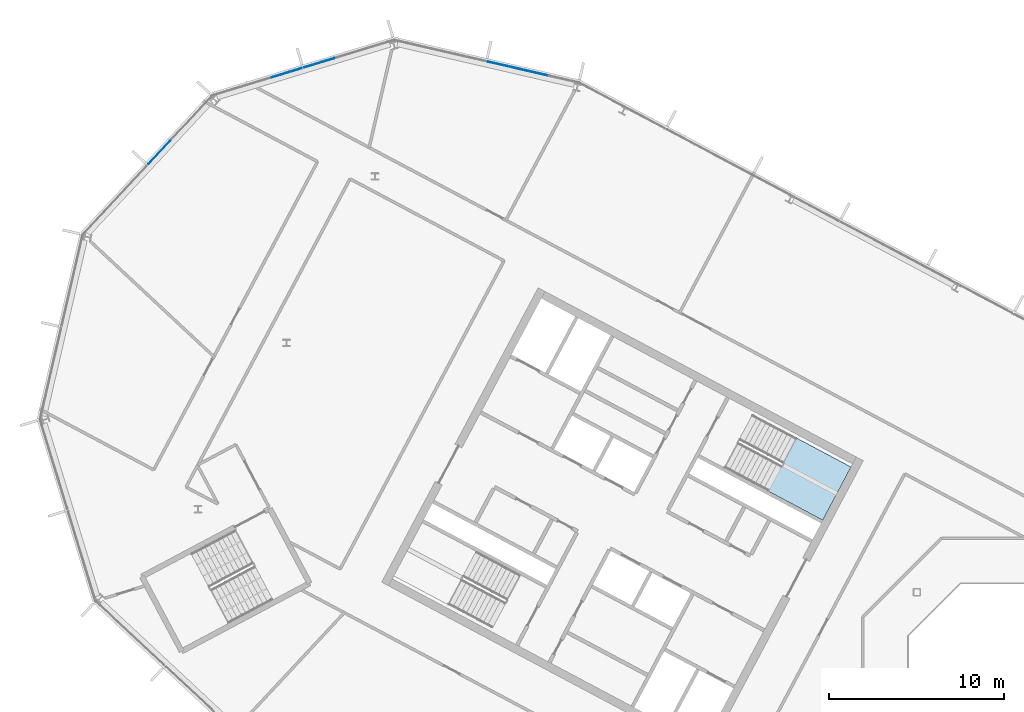
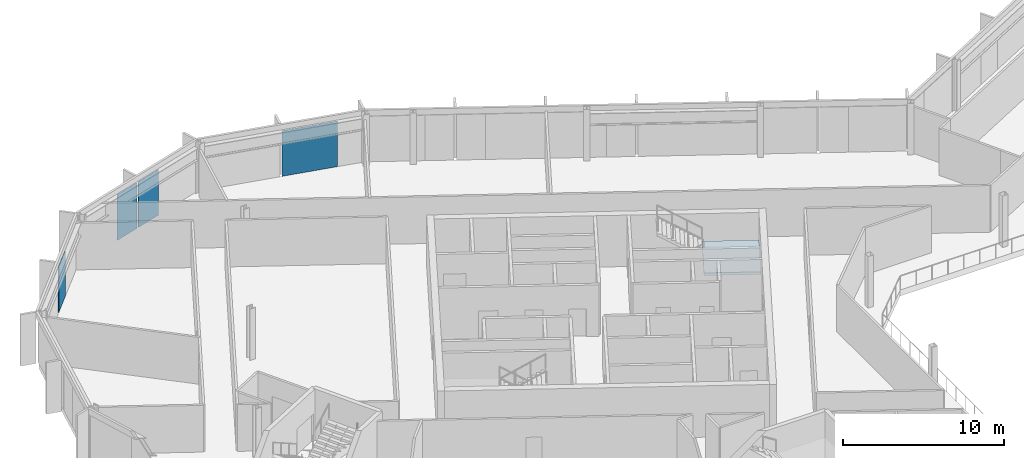
# One storey, part 11 of 26: 4 plates, 1 slab, 4 elements without a shape of their own.
"""IFC4 building model written with IfcOpenShell, lengths in metres."""

from ifc_helpers import new_model, si_unit, direction, frame, origin, origin_2d, place, context, subcontext, project, spatial, polyline, rectangle, outline, extrude, material, layer, layer_set, type_object, element, aggregate, save


model = new_model("IFC4")

# Units and contexts
model_context = context("Model", 3, precision=1e-05, world=origin(), true_north=direction((0.0, 1.0)))
body_context = subcontext(model_context, "Body", "Model", "MODEL_VIEW")
ifc_project = project(units=[si_unit("LENGTHUNIT", "METRE"), si_unit("AREAUNIT", "SQUARE_METRE"), si_unit("VOLUMEUNIT", "CUBIC_METRE"), si_unit("PLANEANGLEUNIT", "RADIAN"), si_unit("MASSUNIT", "GRAM", prefix="KILO")], contexts=[model_context])

# Site, building, storey
site_placement = place(None, origin())
site = spatial("IfcSite", under=ifc_project, at=site_placement, CompositionType="ELEMENT")
building_placement = place(site_placement, origin())
building = spatial("IfcBuilding", under=site, at=building_placement, Name="Cormorant Relay Tower", CompositionType="ELEMENT")
storey_placement = place(building_placement, frame((0.0, 0.0, 320.39990234375)))
storey = spatial("IfcBuildingStorey", under=building, at=storey_placement, Name="L73", CompositionType="ELEMENT", Elevation=320.39990234375)

# Curtain wall, plates
ifc_material_1 = material(Name="Aluminium 6063-T6 anodised bronze", Category="aluminium")
ifc_layer_1 = layer(ifc_material_1, 0.199951171875)
ifc_layer_set_1 = layer_set([ifc_layer_1], Name="CW1 unitised bronze curtain wall with vertical fins")
curtain_wall_type = type_object("IfcCurtainWallType", Name="CW1 unitised bronze curtain wall with vertical fins", PredefinedType="NOTDEFINED", material=ifc_layer_set_1)
curtain_wall_1_placement = place(storey_placement, origin())
curtain_wall_1 = element("IfcCurtainWall", 1, at=curtain_wall_1_placement, inside=storey, type_object=curtain_wall_type, Name="CW1 curtain wall 11", PredefinedType="NOTDEFINED")
ifc_material_2 = material(Name="Tinted laminated glass", Category="glass")
ifc_layer_2 = layer(ifc_material_2, 0.0400390625)
ifc_layer_set_2 = layer_set([ifc_layer_2], Name="CW1 tinted vision panel 1800 module")
plate_type_1 = type_object("IfcPlateType", Name="CW1 tinted vision panel 1800 module", PredefinedType="CURTAIN_PANEL", material=ifc_layer_set_2)
plate_1_placement = place(storey_placement, frame((-44.73681640625, 40.82861328125, 0.0), z_axis=(0.0, 0.0, 1.0), x_axis=(-0.956304755963, -0.292371704723, 0.0)))
plate_1 = element("IfcPlate", 2, at=plate_1_placement, type_object=plate_type_1, Name="CW1 panel V01", PredefinedType="CURTAIN_PANEL", context=body_context, shape_type="SweptSolid", body=[
    extrude(rectangle(XDim=1.800048828125, YDim=0.0400390625, at=origin_2d()), origin(), (0.0, 0.0, 1.0), 3.449951171875),
])
plate_2_placement = place(storey_placement, frame((-46.6015625, 40.25830078125, 0.0), z_axis=(0.0, 0.0, 1.0), x_axis=(-0.956304755963, -0.292371704723, 0.0)))
plate_2 = element("IfcPlate", 3, at=plate_2_placement, type_object=plate_type_1, Name="CW1 panel V02", PredefinedType="CURTAIN_PANEL", context=body_context, shape_type="SweptSolid", body=[
    extrude(rectangle(XDim=1.800048828125, YDim=0.0400390625, at=origin_2d()), origin(), (0.0, 0.0, 1.0), 3.449951171875),
])
aggregate(curtain_wall_1, [plate_1, plate_2])

# Curtain wall, plate
curtain_wall_2_placement = place(storey_placement, origin())
curtain_wall_2 = element("IfcCurtainWall", 4, at=curtain_wall_2_placement, inside=storey, type_object=curtain_wall_type, Name="CW1 curtain wall 12", PredefinedType="NOTDEFINED")
plate_3_placement = place(storey_placement, frame((-53.91748046875, 35.68701171875, 0.0), z_axis=(0.0, 0.0, 1.0), x_axis=(-0.681998360062, -0.731353701619, 0.0)))
plate_3 = element("IfcPlate", 5, at=plate_3_placement, type_object=plate_type_1, Name="CW1 panel V01", PredefinedType="CURTAIN_PANEL", context=body_context, shape_type="SweptSolid", body=[
    extrude(rectangle(XDim=1.800048828125, YDim=0.0400390625, at=origin_2d()), origin(), (0.0, 0.0, 1.0), 3.449951171875),
])
aggregate(curtain_wall_2, [plate_3])

curtain_wall_3_placement = place(storey_placement, origin())
curtain_wall_3 = element("IfcCurtainWall", 6, at=curtain_wall_3_placement, inside=storey, type_object=curtain_wall_type, Name="CW1 curtain wall 10", PredefinedType="NOTDEFINED")
ifc_material_3 = material(Name="Tinted laminated glass", Category="glass")
ifc_layer_3 = layer(ifc_material_3, 0.0400390625)
ifc_layer_set_3 = layer_set([ifc_layer_3], Name="CW1 tinted vision panel 3600 module")
plate_type_2 = type_object("IfcPlateType", Name="CW1 tinted vision panel 3600 module", PredefinedType="CURTAIN_PANEL", material=ifc_layer_set_3)
plate_4_placement = place(storey_placement, frame((-33.338134765625, 40.488525390625, 0.0), z_axis=(0.0, 0.0, 1.0), x_axis=(-0.974370064785, 0.224951054344, 0.0)))
plate_4 = element("IfcPlate", 7, at=plate_4_placement, type_object=plate_type_2, Name="CW1 panel V01", PredefinedType="CURTAIN_PANEL", context=body_context, shape_type="SweptSolid", body=[
    extrude(rectangle(XDim=3.60009765625, YDim=0.0400390625, at=origin_2d()), origin(), (0.0, 0.0, 1.0), 3.449951171875),
])
aggregate(curtain_wall_3, [plate_4])

# Stair, slab
ifc_material_4 = material(Name="Concrete 40 MPa", Category="concrete")
stair_type = type_object("IfcStairType", Name="Exit stair 1500", PredefinedType="HALF_TURN_STAIR", material=ifc_material_4)
stair_placement = place(storey_placement, origin())
stair = element("IfcStair", 8, at=stair_placement, inside=storey, type_object=stair_type, Name="L73 Stair", PredefinedType="HALF_TURN_STAIR")
ifc_material_5 = material(Name="Concrete 40 MPa", Category="concrete")
ifc_layer_4 = layer(ifc_material_5, 0.199951171875)
ifc_layer_set_4 = layer_set([ifc_layer_4], Name="Exit stair landing 200")
slab_type = type_object("IfcSlabType", Name="Exit stair landing 200", PredefinedType="LANDING", material=ifc_layer_set_4)
slab_placement = place(storey_placement, frame((0.0, 0.0, 1.75)))
slab = element("IfcSlab", 9, at=slab_placement, type_object=slab_type, Name="A1 landing 1", PredefinedType="LANDING", context=body_context, shape_type="SweptSolid", body=[
    extrude(outline(polyline([(-19.029541015625, 16.29052734375), (-15.89501953125, 14.6240234375), (-14.275390625, 17.670166015625), (-17.40966796875, 19.3369140625), (-19.029541015625, 16.29052734375)])), origin(), (0.0, 0.0, 1.0), 0.2001953125),
])
aggregate(stair, [slab])

save(model, "model.ifc")
